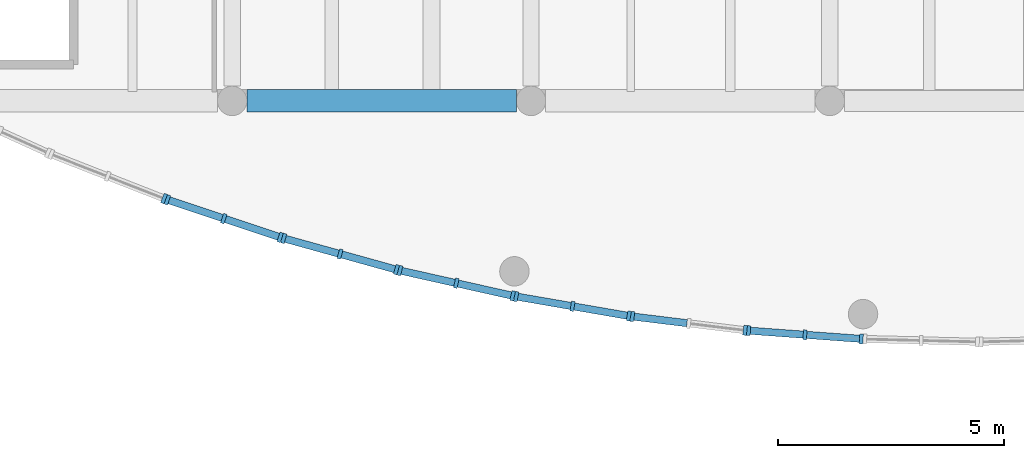
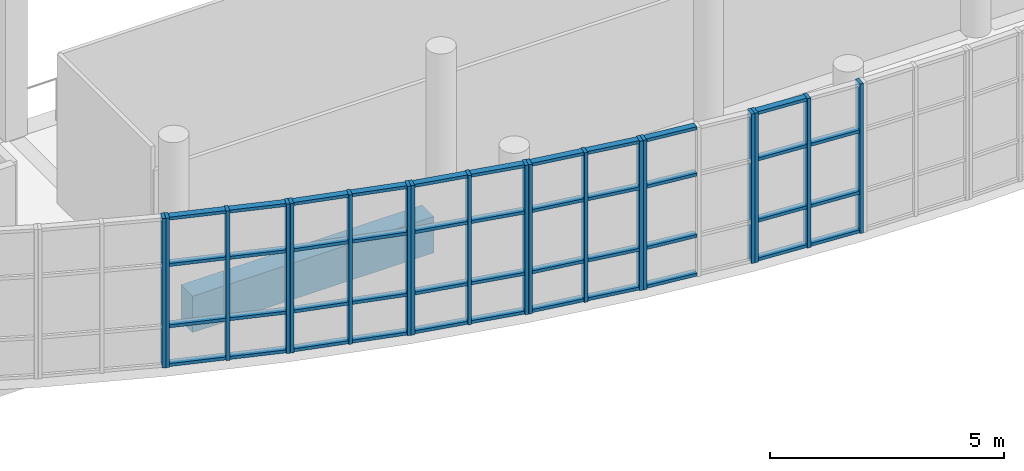
# One storey, part 9 of 65: 61 members, 1 beam, 7 elements without a shape of their own.
"""IFC4 building model written with IfcOpenShell, lengths in metres."""

from ifc_helpers import new_model, si_unit, direction, frame, origin, origin_2d, place, context, subcontext, project, spatial, rectangle, extrude, material, material_profile, profile_set, type_object, element, aggregate, save


model = new_model("IFC4")

# Units and contexts
model_context = context("Model", 3, precision=1e-05, world=origin(), true_north=direction((0.0, 1.0)))
body_context = subcontext(model_context, "Body", "Model", "MODEL_VIEW")
ifc_project = project(units=[si_unit("LENGTHUNIT", "METRE"), si_unit("AREAUNIT", "SQUARE_METRE"), si_unit("VOLUMEUNIT", "CUBIC_METRE"), si_unit("PLANEANGLEUNIT", "RADIAN"), si_unit("MASSUNIT", "GRAM", prefix="KILO")], contexts=[model_context])

# Site, building, storey
site_placement = place(None, origin())
site = spatial("IfcSite", under=ifc_project, at=site_placement, CompositionType="ELEMENT")
building_placement = place(site_placement, origin())
building = spatial("IfcBuilding", under=site, at=building_placement, Name="Ciguamira Faculty of Natural Sciences", CompositionType="ELEMENT")
storey_placement = place(building_placement, frame((0.0, 0.0, 12.60009765625)))
storey = spatial("IfcBuildingStorey", under=building, at=storey_placement, Name="L03", CompositionType="ELEMENT", Elevation=12.60009765625)

# Curtain wall, member
ifc_material_1 = material(Name="Anodized aluminium curtain wall", Category="aluminium")
curtain_wall_type_1 = type_object("IfcCurtainWallType", Name="CurtainWall_CW-01", PredefinedType="USERDEFINED", material=ifc_material_1)
curtain_wall_1_placement = place(storey_placement, origin())
curtain_wall_1 = element("IfcCurtainWall", 1, at=curtain_wall_1_placement, inside=storey, type_object=curtain_wall_type_1, Name="L03 south gallery curved curtain wall 02", ObjectType="UNITISED CURTAIN WALL", PredefinedType="USERDEFINED")
ifc_material_2 = material(Name="Anodized aluminium mullion", Category="aluminium")
ifc_material_profile_1 = material_profile(ifc_material_2, rectangle(XDim=0.080078125, YDim=0.219970703125, at=origin_2d()), Name="ALU-MUL-80X220")
ifc_profile_set_1 = profile_set([ifc_material_profile_1], Name="Anodized aluminium mullion")
member_type_1 = type_object("IfcMemberType", Name="CWMullion_CWM-03", PredefinedType="MULLION", material=ifc_profile_set_1)
member_1_placement = place(storey_placement, frame((68.99609375, 7.84423828125, 0.0), z_axis=(0.0, 0.0, 1.0), x_axis=(0.931122296337, -0.36470710065, 0.0)))
member_1 = element("IfcMember", 2, at=member_1_placement, type_object=member_type_1, Name="CW-01 mullion 3", PredefinedType="MULLION", context=body_context, shape_type="SweptSolid", body=[
    extrude(rectangle(XDim=0.080078125, YDim=0.219970703125, at=origin_2d()), origin(), (0.0, 0.0, 1.0), 3.89990234375),
])
aggregate(curtain_wall_1, [member_1])

# Curtain wall, members
curtain_wall_type_2 = type_object("IfcCurtainWallType", Name="CurtainWall_CW-02", PredefinedType="USERDEFINED", material=ifc_material_1)
curtain_wall_2_placement = place(storey_placement, origin())
curtain_wall_2 = element("IfcCurtainWall", 3, at=curtain_wall_2_placement, inside=storey, type_object=curtain_wall_type_2, Name="L03 south gallery curved curtain wall 03", ObjectType="UNITISED CURTAIN WALL", PredefinedType="USERDEFINED")
member_2_placement = place(storey_placement, frame((69.0712890625, 7.81689453125, 0.0), z_axis=(0.0, 0.0, 1.0), x_axis=(0.948735033862, -0.316072516242, 0.0)))
member_2 = element("IfcMember", 4, at=member_2_placement, type_object=member_type_1, Name="CW-02 mullion 1", PredefinedType="MULLION", context=body_context, shape_type="SweptSolid", body=[
    extrude(rectangle(XDim=0.080078125, YDim=0.219970703125, at=origin_2d()), origin(), (0.0, 0.0, 1.0), 3.89990234375),
])
member_3_placement = place(storey_placement, frame((70.316650390625, 7.402099609375, 0.0), z_axis=(0.0, 0.0, 1.0), x_axis=(0.948735033862, -0.316072516242, 0.0)))
member_3 = element("IfcMember", 5, at=member_3_placement, type_object=member_type_1, Name="CW-02 mullion 2", PredefinedType="MULLION", context=body_context, shape_type="SweptSolid", body=[
    extrude(rectangle(XDim=0.080078125, YDim=0.219970703125, at=origin_2d()), origin(), (0.0, 0.0, 1.0), 3.89990234375),
])
member_4_placement = place(storey_placement, frame((71.56201171875, 6.987060546875, 0.0), z_axis=(0.0, 0.0, 1.0), x_axis=(0.948735033862, -0.316072516242, 0.0)))
member_4 = element("IfcMember", 6, at=member_4_placement, type_object=member_type_1, Name="CW-02 mullion 3", PredefinedType="MULLION", context=body_context, shape_type="SweptSolid", body=[
    extrude(rectangle(XDim=0.080078125, YDim=0.219970703125, at=origin_2d()), origin(), (0.0, 0.0, 1.0), 3.89990234375),
])

curtain_wall_type_3 = type_object("IfcCurtainWallType", Name="CurtainWall_CW-03", PredefinedType="USERDEFINED", material=ifc_material_1)
curtain_wall_3_placement = place(storey_placement, origin())
curtain_wall_3 = element("IfcCurtainWall", 7, at=curtain_wall_3_placement, inside=storey, type_object=curtain_wall_type_3, Name="L03 south gallery curved curtain wall 04", ObjectType="UNITISED CURTAIN WALL", PredefinedType="USERDEFINED")
member_5_placement = place(storey_placement, frame((71.638427734375, 6.9638671875, 0.0), z_axis=(0.0, 0.0, 1.0), x_axis=(0.963573286652, -0.267444426472, 0.0)))
member_5 = element("IfcMember", 8, at=member_5_placement, type_object=member_type_1, Name="CW-03 mullion 1", PredefinedType="MULLION", context=body_context, shape_type="SweptSolid", body=[
    extrude(rectangle(XDim=0.080078125, YDim=0.219970703125, at=origin_2d()), origin(), (0.0, 0.0, 1.0), 3.89990234375),
])
member_6_placement = place(storey_placement, frame((72.88330078125, 6.618408203125, 0.0), z_axis=(0.0, 0.0, 1.0), x_axis=(0.963573286652, -0.267444426472, 0.0)))
member_6 = element("IfcMember", 9, at=member_6_placement, type_object=member_type_1, Name="CW-03 mullion 2", PredefinedType="MULLION", context=body_context, shape_type="SweptSolid", body=[
    extrude(rectangle(XDim=0.080078125, YDim=0.219970703125, at=origin_2d()), origin(), (0.0, 0.0, 1.0), 3.89990234375),
])
member_7_placement = place(storey_placement, frame((74.128173828125, 6.272705078125, 0.0), z_axis=(0.0, 0.0, 1.0), x_axis=(0.963573286652, -0.267444426472, 0.0)))
member_7 = element("IfcMember", 10, at=member_7_placement, type_object=member_type_1, Name="CW-03 mullion 3", PredefinedType="MULLION", context=body_context, shape_type="SweptSolid", body=[
    extrude(rectangle(XDim=0.080078125, YDim=0.219970703125, at=origin_2d()), origin(), (0.0, 0.0, 1.0), 3.89990234375),
])

curtain_wall_type_4 = type_object("IfcCurtainWallType", Name="CurtainWall_CW-04", PredefinedType="USERDEFINED", material=ifc_material_1)
curtain_wall_4_placement = place(storey_placement, origin())
curtain_wall_4 = element("IfcCurtainWall", 11, at=curtain_wall_4_placement, inside=storey, type_object=curtain_wall_type_4, Name="L03 south gallery curved curtain wall 05", ObjectType="UNITISED CURTAIN WALL", PredefinedType="USERDEFINED")
member_8_placement = place(storey_placement, frame((74.205810546875, 6.25341796875, 0.0), z_axis=(0.0, 0.0, 1.0), x_axis=(0.975762990759, -0.218830038763, 0.0)))
member_8 = element("IfcMember", 12, at=member_8_placement, type_object=member_type_1, Name="CW-04 mullion 1", PredefinedType="MULLION", context=body_context, shape_type="SweptSolid", body=[
    extrude(rectangle(XDim=0.080078125, YDim=0.219970703125, at=origin_2d()), origin(), (0.0, 0.0, 1.0), 3.89990234375),
])
member_9_placement = place(storey_placement, frame((75.449951171875, 5.974365234375, 0.0), z_axis=(0.0, 0.0, 1.0), x_axis=(0.975762990759, -0.218830038763, 0.0)))
member_9 = element("IfcMember", 13, at=member_9_placement, type_object=member_type_1, Name="CW-04 mullion 2", PredefinedType="MULLION", context=body_context, shape_type="SweptSolid", body=[
    extrude(rectangle(XDim=0.080078125, YDim=0.219970703125, at=origin_2d()), origin(), (0.0, 0.0, 1.0), 3.89990234375),
])
member_10_placement = place(storey_placement, frame((76.6943359375, 5.6953125, 0.0), z_axis=(0.0, 0.0, 1.0), x_axis=(0.975762990759, -0.218830038763, 0.0)))
member_10 = element("IfcMember", 14, at=member_10_placement, type_object=member_type_1, Name="CW-04 mullion 3", PredefinedType="MULLION", context=body_context, shape_type="SweptSolid", body=[
    extrude(rectangle(XDim=0.080078125, YDim=0.219970703125, at=origin_2d()), origin(), (0.0, 0.0, 1.0), 3.89990234375),
])

curtain_wall_type_5 = type_object("IfcCurtainWallType", Name="CurtainWall_CW-05", PredefinedType="USERDEFINED", material=ifc_material_1)
curtain_wall_5_placement = place(storey_placement, origin())
curtain_wall_5 = element("IfcCurtainWall", 15, at=curtain_wall_5_placement, inside=storey, type_object=curtain_wall_type_5, Name="L03 south gallery curved curtain wall 06", ObjectType="UNITISED CURTAIN WALL", PredefinedType="USERDEFINED")
member_11_placement = place(storey_placement, frame((76.772705078125, 5.6796875, 0.0), z_axis=(0.0, 0.0, 1.0), x_axis=(0.985410865099, -0.170192323402, 0.0)))
member_11 = element("IfcMember", 16, at=member_11_placement, type_object=member_type_1, Name="CW-05 mullion 1", PredefinedType="MULLION", context=body_context, shape_type="SweptSolid", body=[
    extrude(rectangle(XDim=0.080078125, YDim=0.219970703125, at=origin_2d()), origin(), (0.0, 0.0, 1.0), 3.89990234375),
])
member_12_placement = place(storey_placement, frame((78.0166015625, 5.46484375, 0.0), z_axis=(0.0, 0.0, 1.0), x_axis=(0.985410865099, -0.170192323402, 0.0)))
member_12 = element("IfcMember", 17, at=member_12_placement, type_object=member_type_1, Name="CW-05 mullion 2", PredefinedType="MULLION", context=body_context, shape_type="SweptSolid", body=[
    extrude(rectangle(XDim=0.080078125, YDim=0.219970703125, at=origin_2d()), origin(), (0.0, 0.0, 1.0), 3.89990234375),
])
member_13_placement = place(storey_placement, frame((79.260498046875, 5.25, 0.0), z_axis=(0.0, 0.0, 1.0), x_axis=(0.985410865099, -0.170192323402, 0.0)))
member_13 = element("IfcMember", 18, at=member_13_placement, type_object=member_type_1, Name="CW-05 mullion 3", PredefinedType="MULLION", context=body_context, shape_type="SweptSolid", body=[
    extrude(rectangle(XDim=0.080078125, YDim=0.219970703125, at=origin_2d()), origin(), (0.0, 0.0, 1.0), 3.89990234375),
])

curtain_wall_type_6 = type_object("IfcCurtainWallType", Name="CurtainWall_CW-06", PredefinedType="USERDEFINED", material=ifc_material_1)
curtain_wall_6_placement = place(storey_placement, origin())
curtain_wall_6 = element("IfcCurtainWall", 19, at=curtain_wall_6_placement, inside=storey, type_object=curtain_wall_type_6, Name="L03 south gallery curved curtain wall 07", ObjectType="UNITISED CURTAIN WALL", PredefinedType="USERDEFINED")
member_14_placement = place(storey_placement, frame((79.339599609375, 5.23828125, 0.0), z_axis=(0.0, 0.0, 1.0), x_axis=(0.992585912631, -0.12154507825, 0.0)))
member_14 = element("IfcMember", 20, at=member_14_placement, type_object=member_type_1, Name="CW-06 mullion 1", PredefinedType="MULLION", context=body_context, shape_type="SweptSolid", body=[
    extrude(rectangle(XDim=0.080078125, YDim=0.219970703125, at=origin_2d()), origin(), (0.0, 0.0, 1.0), 3.89990234375),
])
member_15_placement = place(storey_placement, frame((81.826904296875, 4.933837890625, 0.0), z_axis=(0.0, 0.0, 1.0), x_axis=(0.992585912631, -0.12154507825, 0.0)))
member_15 = element("IfcMember", 21, at=member_15_placement, type_object=member_type_1, Name="CW-06 mullion 3", PredefinedType="MULLION", context=body_context, shape_type="SweptSolid", body=[
    extrude(rectangle(XDim=0.080078125, YDim=0.219970703125, at=origin_2d()), origin(), (0.0, 0.0, 1.0), 3.89990234375),
])

curtain_wall_type_7 = type_object("IfcCurtainWallType", Name="CurtainWall_CW-07", PredefinedType="USERDEFINED", material=ifc_material_1)
curtain_wall_7_placement = place(storey_placement, origin())
curtain_wall_7 = element("IfcCurtainWall", 22, at=curtain_wall_7_placement, inside=storey, type_object=curtain_wall_type_7, Name="L03 south gallery curved curtain wall 08", ObjectType="UNITISED CURTAIN WALL", PredefinedType="USERDEFINED")
member_16_placement = place(storey_placement, frame((81.906494140625, 4.926025390625, 0.0), z_axis=(0.0, 0.0, 1.0), x_axis=(0.99733655099, -0.072936986916, 0.0)))
member_16 = element("IfcMember", 23, at=member_16_placement, type_object=member_type_1, Name="CW-07 mullion 1", PredefinedType="MULLION", context=body_context, shape_type="SweptSolid", body=[
    extrude(rectangle(XDim=0.080078125, YDim=0.219970703125, at=origin_2d()), origin(), (0.0, 0.0, 1.0), 3.89990234375),
])
member_17_placement = place(storey_placement, frame((83.14990234375, 4.8349609375, 0.0), z_axis=(0.0, 0.0, 1.0), x_axis=(0.99733655099, -0.072936986916, 0.0)))
member_17 = element("IfcMember", 24, at=member_17_placement, type_object=member_type_1, Name="CW-07 mullion 2", PredefinedType="MULLION", context=body_context, shape_type="SweptSolid", body=[
    extrude(rectangle(XDim=0.080078125, YDim=0.219970703125, at=origin_2d()), origin(), (0.0, 0.0, 1.0), 3.89990234375),
])
member_18_placement = place(storey_placement, frame((84.393310546875, 4.744140625, 0.0), z_axis=(0.0, 0.0, 1.0), x_axis=(0.99733655099, -0.072936986916, 0.0)))
member_18 = element("IfcMember", 25, at=member_18_placement, type_object=member_type_1, Name="CW-07 mullion 3", PredefinedType="MULLION", context=body_context, shape_type="SweptSolid", body=[
    extrude(rectangle(XDim=0.080078125, YDim=0.219970703125, at=origin_2d()), origin(), (0.0, 0.0, 1.0), 3.89990234375),
])

# Member
ifc_material_3 = material(Name="Anodized aluminium transom", Category="aluminium")
ifc_material_profile_2 = material_profile(ifc_material_3, rectangle(XDim=0.080078125, YDim=0.159912109375, at=origin_2d()), Name="ALU-TRN-80X160")
ifc_profile_set_2 = profile_set([ifc_material_profile_2], Name="Anodized aluminium transom")
member_type_2 = type_object("IfcMemberType", Name="CWTransom_CWT-03", PredefinedType="USERDEFINED", material=ifc_profile_set_2)
member_19_placement = place(storey_placement, frame((69.109130859375, 7.80419921875, 0.039794921875), z_axis=(0.948802054129, -0.315871274543, 0.0), x_axis=(0.0, 0.0, 1.0)))
member_19 = element("IfcMember", 26, at=member_19_placement, type_object=member_type_2, Name="CW-02 transom 1.1", ObjectType="TRANSOM", PredefinedType="USERDEFINED", context=body_context, shape_type="SweptSolid", body=[
    extrude(rectangle(XDim=0.080078125, YDim=0.159912109375, at=origin_2d()), origin(), (0.0, 0.0, 1.0), 1.23291015625),
])

member_20_placement = place(storey_placement, frame((69.109130859375, 7.80419921875, 1.0498046875), z_axis=(0.948802054129, -0.315871274543, 0.0), x_axis=(0.0, 0.0, 1.0)))
member_20 = element("IfcMember", 27, at=member_20_placement, type_object=member_type_2, Name="CW-02 transom 1.2", ObjectType="TRANSOM", PredefinedType="USERDEFINED", context=body_context, shape_type="SweptSolid", body=[
    extrude(rectangle(XDim=0.080078125, YDim=0.159912109375, at=origin_2d()), origin(), (0.0, 0.0, 1.0), 1.23291015625),
])

member_21_placement = place(storey_placement, frame((69.109130859375, 7.80419921875, 2.64990234375), z_axis=(0.948802054129, -0.315871274543, 0.0), x_axis=(0.0, 0.0, 1.0)))
member_21 = element("IfcMember", 28, at=member_21_placement, type_object=member_type_2, Name="CW-02 transom 1.3", ObjectType="TRANSOM", PredefinedType="USERDEFINED", context=body_context, shape_type="SweptSolid", body=[
    extrude(rectangle(XDim=0.080078125, YDim=0.159912109375, at=origin_2d()), origin(), (0.0, 0.0, 1.0), 1.23291015625),
])

member_22_placement = place(storey_placement, frame((69.109130859375, 7.80419921875, 3.85986328125), z_axis=(0.948802054129, -0.315871274543, 0.0), x_axis=(0.0, 0.0, 1.0)))
member_22 = element("IfcMember", 29, at=member_22_placement, type_object=member_type_2, Name="CW-02 transom 1.4", ObjectType="TRANSOM", PredefinedType="USERDEFINED", context=body_context, shape_type="SweptSolid", body=[
    extrude(rectangle(XDim=0.080078125, YDim=0.159912109375, at=origin_2d()), origin(), (0.0, 0.0, 1.0), 1.23291015625),
])

member_23_placement = place(storey_placement, frame((70.3544921875, 7.389404296875, 0.039794921875), z_axis=(0.948742689117, -0.316049537013, 0.0), x_axis=(0.0, 0.0, 1.0)))
member_23 = element("IfcMember", 30, at=member_23_placement, type_object=member_type_2, Name="CW-02 transom 2.1", ObjectType="TRANSOM", PredefinedType="USERDEFINED", context=body_context, shape_type="SweptSolid", body=[
    extrude(rectangle(XDim=0.080078125, YDim=0.159912109375, at=origin_2d()), origin(), (0.0, 0.0, 1.0), 1.23291015625),
])

member_24_placement = place(storey_placement, frame((70.3544921875, 7.389404296875, 1.0498046875), z_axis=(0.948742689117, -0.316049537013, 0.0), x_axis=(0.0, 0.0, 1.0)))
member_24 = element("IfcMember", 31, at=member_24_placement, type_object=member_type_2, Name="CW-02 transom 2.2", ObjectType="TRANSOM", PredefinedType="USERDEFINED", context=body_context, shape_type="SweptSolid", body=[
    extrude(rectangle(XDim=0.080078125, YDim=0.159912109375, at=origin_2d()), origin(), (0.0, 0.0, 1.0), 1.23291015625),
])

member_25_placement = place(storey_placement, frame((70.3544921875, 7.389404296875, 2.64990234375), z_axis=(0.948742689117, -0.316049537013, 0.0), x_axis=(0.0, 0.0, 1.0)))
member_25 = element("IfcMember", 32, at=member_25_placement, type_object=member_type_2, Name="CW-02 transom 2.3", ObjectType="TRANSOM", PredefinedType="USERDEFINED", context=body_context, shape_type="SweptSolid", body=[
    extrude(rectangle(XDim=0.080078125, YDim=0.159912109375, at=origin_2d()), origin(), (0.0, 0.0, 1.0), 1.23291015625),
])

member_26_placement = place(storey_placement, frame((70.3544921875, 7.389404296875, 3.85986328125), z_axis=(0.948742689117, -0.316049537013, 0.0), x_axis=(0.0, 0.0, 1.0)))
member_26 = element("IfcMember", 33, at=member_26_placement, type_object=member_type_2, Name="CW-02 transom 2.4", ObjectType="TRANSOM", PredefinedType="USERDEFINED", context=body_context, shape_type="SweptSolid", body=[
    extrude(rectangle(XDim=0.080078125, YDim=0.159912109375, at=origin_2d()), origin(), (0.0, 0.0, 1.0), 1.23291015625),
])

aggregate(curtain_wall_2, [member_2, member_3, member_4, member_19, member_20, member_21, member_22, member_23, member_24, member_25, member_26])

member_27_placement = place(storey_placement, frame((71.677001953125, 6.953125, 0.039794921875), z_axis=(0.963549650457, -0.267529570522, 0.0), x_axis=(0.0, 0.0, 1.0)))
member_27 = element("IfcMember", 34, at=member_27_placement, type_object=member_type_2, Name="CW-03 transom 1.1", ObjectType="TRANSOM", PredefinedType="USERDEFINED", context=body_context, shape_type="SweptSolid", body=[
    extrude(rectangle(XDim=0.080078125, YDim=0.159912109375, at=origin_2d()), origin(), (0.0, 0.0, 1.0), 1.2119140625),
])

member_28_placement = place(storey_placement, frame((71.677001953125, 6.953125, 1.0498046875), z_axis=(0.963549650457, -0.267529570522, 0.0), x_axis=(0.0, 0.0, 1.0)))
member_28 = element("IfcMember", 35, at=member_28_placement, type_object=member_type_2, Name="CW-03 transom 1.2", ObjectType="TRANSOM", PredefinedType="USERDEFINED", context=body_context, shape_type="SweptSolid", body=[
    extrude(rectangle(XDim=0.080078125, YDim=0.159912109375, at=origin_2d()), origin(), (0.0, 0.0, 1.0), 1.2119140625),
])

member_29_placement = place(storey_placement, frame((71.677001953125, 6.953125, 2.64990234375), z_axis=(0.963549650457, -0.267529570522, 0.0), x_axis=(0.0, 0.0, 1.0)))
member_29 = element("IfcMember", 36, at=member_29_placement, type_object=member_type_2, Name="CW-03 transom 1.3", ObjectType="TRANSOM", PredefinedType="USERDEFINED", context=body_context, shape_type="SweptSolid", body=[
    extrude(rectangle(XDim=0.080078125, YDim=0.159912109375, at=origin_2d()), origin(), (0.0, 0.0, 1.0), 1.2119140625),
])

member_30_placement = place(storey_placement, frame((71.677001953125, 6.953125, 3.85986328125), z_axis=(0.963549650457, -0.267529570522, 0.0), x_axis=(0.0, 0.0, 1.0)))
member_30 = element("IfcMember", 37, at=member_30_placement, type_object=member_type_2, Name="CW-03 transom 1.4", ObjectType="TRANSOM", PredefinedType="USERDEFINED", context=body_context, shape_type="SweptSolid", body=[
    extrude(rectangle(XDim=0.080078125, YDim=0.159912109375, at=origin_2d()), origin(), (0.0, 0.0, 1.0), 1.2119140625),
])

member_31_placement = place(storey_placement, frame((72.921875, 6.607666015625, 0.039794921875), z_axis=(0.963549650457, -0.267529570522, 0.0), x_axis=(0.0, 0.0, 1.0)))
member_31 = element("IfcMember", 38, at=member_31_placement, type_object=member_type_2, Name="CW-03 transom 2.1", ObjectType="TRANSOM", PredefinedType="USERDEFINED", context=body_context, shape_type="SweptSolid", body=[
    extrude(rectangle(XDim=0.080078125, YDim=0.159912109375, at=origin_2d()), origin(), (0.0, 0.0, 1.0), 1.2119140625),
])

member_32_placement = place(storey_placement, frame((72.921875, 6.607666015625, 1.0498046875), z_axis=(0.963549650457, -0.267529570522, 0.0), x_axis=(0.0, 0.0, 1.0)))
member_32 = element("IfcMember", 39, at=member_32_placement, type_object=member_type_2, Name="CW-03 transom 2.2", ObjectType="TRANSOM", PredefinedType="USERDEFINED", context=body_context, shape_type="SweptSolid", body=[
    extrude(rectangle(XDim=0.080078125, YDim=0.159912109375, at=origin_2d()), origin(), (0.0, 0.0, 1.0), 1.2119140625),
])

member_33_placement = place(storey_placement, frame((72.921875, 6.607666015625, 2.64990234375), z_axis=(0.963549650457, -0.267529570522, 0.0), x_axis=(0.0, 0.0, 1.0)))
member_33 = element("IfcMember", 40, at=member_33_placement, type_object=member_type_2, Name="CW-03 transom 2.3", ObjectType="TRANSOM", PredefinedType="USERDEFINED", context=body_context, shape_type="SweptSolid", body=[
    extrude(rectangle(XDim=0.080078125, YDim=0.159912109375, at=origin_2d()), origin(), (0.0, 0.0, 1.0), 1.2119140625),
])

member_34_placement = place(storey_placement, frame((72.921875, 6.607666015625, 3.85986328125), z_axis=(0.963549650457, -0.267529570522, 0.0), x_axis=(0.0, 0.0, 1.0)))
member_34 = element("IfcMember", 41, at=member_34_placement, type_object=member_type_2, Name="CW-03 transom 2.4", ObjectType="TRANSOM", PredefinedType="USERDEFINED", context=body_context, shape_type="SweptSolid", body=[
    extrude(rectangle(XDim=0.080078125, YDim=0.159912109375, at=origin_2d()), origin(), (0.0, 0.0, 1.0), 1.2119140625),
])

aggregate(curtain_wall_3, [member_5, member_6, member_7, member_27, member_28, member_29, member_30, member_31, member_32, member_33, member_34])

member_35_placement = place(storey_placement, frame((74.244873046875, 6.24462890625, 0.039794921875), z_axis=(0.975767018908, -0.218812076476, 0.0), x_axis=(0.0, 0.0, 1.0)))
member_35 = element("IfcMember", 42, at=member_35_placement, type_object=member_type_2, Name="CW-04 transom 1.1", ObjectType="TRANSOM", PredefinedType="USERDEFINED", context=body_context, shape_type="SweptSolid", body=[
    extrude(rectangle(XDim=0.080078125, YDim=0.159912109375, at=origin_2d()), origin(), (0.0, 0.0, 1.0), 1.195068359375),
])

member_36_placement = place(storey_placement, frame((74.244873046875, 6.24462890625, 1.0498046875), z_axis=(0.975767018908, -0.218812076476, 0.0), x_axis=(0.0, 0.0, 1.0)))
member_36 = element("IfcMember", 43, at=member_36_placement, type_object=member_type_2, Name="CW-04 transom 1.2", ObjectType="TRANSOM", PredefinedType="USERDEFINED", context=body_context, shape_type="SweptSolid", body=[
    extrude(rectangle(XDim=0.080078125, YDim=0.159912109375, at=origin_2d()), origin(), (0.0, 0.0, 1.0), 1.195068359375),
])

member_37_placement = place(storey_placement, frame((74.244873046875, 6.24462890625, 2.64990234375), z_axis=(0.975767018908, -0.218812076476, 0.0), x_axis=(0.0, 0.0, 1.0)))
member_37 = element("IfcMember", 44, at=member_37_placement, type_object=member_type_2, Name="CW-04 transom 1.3", ObjectType="TRANSOM", PredefinedType="USERDEFINED", context=body_context, shape_type="SweptSolid", body=[
    extrude(rectangle(XDim=0.080078125, YDim=0.159912109375, at=origin_2d()), origin(), (0.0, 0.0, 1.0), 1.195068359375),
])

member_38_placement = place(storey_placement, frame((74.244873046875, 6.24462890625, 3.85986328125), z_axis=(0.975767018908, -0.218812076476, 0.0), x_axis=(0.0, 0.0, 1.0)))
member_38 = element("IfcMember", 45, at=member_38_placement, type_object=member_type_2, Name="CW-04 transom 1.4", ObjectType="TRANSOM", PredefinedType="USERDEFINED", context=body_context, shape_type="SweptSolid", body=[
    extrude(rectangle(XDim=0.080078125, YDim=0.159912109375, at=origin_2d()), origin(), (0.0, 0.0, 1.0), 1.195068359375),
])

member_39_placement = place(storey_placement, frame((75.489013671875, 5.965576171875, 0.039794921875), z_axis=(0.97577679791, -0.218768463588, 0.0), x_axis=(0.0, 0.0, 1.0)))
member_39 = element("IfcMember", 46, at=member_39_placement, type_object=member_type_2, Name="CW-04 transom 2.1", ObjectType="TRANSOM", PredefinedType="USERDEFINED", context=body_context, shape_type="SweptSolid", body=[
    extrude(rectangle(XDim=0.080078125, YDim=0.159912109375, at=origin_2d()), origin(), (0.0, 0.0, 1.0), 1.1953125),
])

member_40_placement = place(storey_placement, frame((75.489013671875, 5.965576171875, 1.0498046875), z_axis=(0.97577679791, -0.218768463588, 0.0), x_axis=(0.0, 0.0, 1.0)))
member_40 = element("IfcMember", 47, at=member_40_placement, type_object=member_type_2, Name="CW-04 transom 2.2", ObjectType="TRANSOM", PredefinedType="USERDEFINED", context=body_context, shape_type="SweptSolid", body=[
    extrude(rectangle(XDim=0.080078125, YDim=0.159912109375, at=origin_2d()), origin(), (0.0, 0.0, 1.0), 1.1953125),
])

member_41_placement = place(storey_placement, frame((75.489013671875, 5.965576171875, 2.64990234375), z_axis=(0.97577679791, -0.218768463588, 0.0), x_axis=(0.0, 0.0, 1.0)))
member_41 = element("IfcMember", 48, at=member_41_placement, type_object=member_type_2, Name="CW-04 transom 2.3", ObjectType="TRANSOM", PredefinedType="USERDEFINED", context=body_context, shape_type="SweptSolid", body=[
    extrude(rectangle(XDim=0.080078125, YDim=0.159912109375, at=origin_2d()), origin(), (0.0, 0.0, 1.0), 1.1953125),
])

member_42_placement = place(storey_placement, frame((75.489013671875, 5.965576171875, 3.85986328125), z_axis=(0.97577679791, -0.218768463588, 0.0), x_axis=(0.0, 0.0, 1.0)))
member_42 = element("IfcMember", 49, at=member_42_placement, type_object=member_type_2, Name="CW-04 transom 2.4", ObjectType="TRANSOM", PredefinedType="USERDEFINED", context=body_context, shape_type="SweptSolid", body=[
    extrude(rectangle(XDim=0.080078125, YDim=0.159912109375, at=origin_2d()), origin(), (0.0, 0.0, 1.0), 1.1953125),
])

aggregate(curtain_wall_4, [member_8, member_9, member_10, member_35, member_36, member_37, member_38, member_39, member_40, member_41, member_42])

member_43_placement = place(storey_placement, frame((76.81201171875, 5.6728515625, 0.039794921875), z_axis=(0.985423139827, -0.170121237632, 0.0), x_axis=(0.0, 0.0, 1.0)))
member_43 = element("IfcMember", 50, at=member_43_placement, type_object=member_type_2, Name="CW-05 transom 1.1", ObjectType="TRANSOM", PredefinedType="USERDEFINED", context=body_context, shape_type="SweptSolid", body=[
    extrude(rectangle(XDim=0.080078125, YDim=0.159912109375, at=origin_2d()), origin(), (0.0, 0.0, 1.0), 1.1826171875),
])

member_44_placement = place(storey_placement, frame((76.81201171875, 5.6728515625, 1.0498046875), z_axis=(0.985423139827, -0.170121237632, 0.0), x_axis=(0.0, 0.0, 1.0)))
member_44 = element("IfcMember", 51, at=member_44_placement, type_object=member_type_2, Name="CW-05 transom 1.2", ObjectType="TRANSOM", PredefinedType="USERDEFINED", context=body_context, shape_type="SweptSolid", body=[
    extrude(rectangle(XDim=0.080078125, YDim=0.159912109375, at=origin_2d()), origin(), (0.0, 0.0, 1.0), 1.1826171875),
])

member_45_placement = place(storey_placement, frame((76.81201171875, 5.6728515625, 2.64990234375), z_axis=(0.985423139827, -0.170121237632, 0.0), x_axis=(0.0, 0.0, 1.0)))
member_45 = element("IfcMember", 52, at=member_45_placement, type_object=member_type_2, Name="CW-05 transom 1.3", ObjectType="TRANSOM", PredefinedType="USERDEFINED", context=body_context, shape_type="SweptSolid", body=[
    extrude(rectangle(XDim=0.080078125, YDim=0.159912109375, at=origin_2d()), origin(), (0.0, 0.0, 1.0), 1.1826171875),
])

member_46_placement = place(storey_placement, frame((76.81201171875, 5.6728515625, 3.85986328125), z_axis=(0.985423139827, -0.170121237632, 0.0), x_axis=(0.0, 0.0, 1.0)))
member_46 = element("IfcMember", 53, at=member_46_placement, type_object=member_type_2, Name="CW-05 transom 1.4", ObjectType="TRANSOM", PredefinedType="USERDEFINED", context=body_context, shape_type="SweptSolid", body=[
    extrude(rectangle(XDim=0.080078125, YDim=0.159912109375, at=origin_2d()), origin(), (0.0, 0.0, 1.0), 1.1826171875),
])

member_47_placement = place(storey_placement, frame((78.05615234375, 5.4580078125, 0.039794921875), z_axis=(0.985417162859, -0.170155855448, 0.0), x_axis=(0.0, 0.0, 1.0)))
member_47 = element("IfcMember", 54, at=member_47_placement, type_object=member_type_2, Name="CW-05 transom 2.1", ObjectType="TRANSOM", PredefinedType="USERDEFINED", context=body_context, shape_type="SweptSolid", body=[
    extrude(rectangle(XDim=0.080078125, YDim=0.159912109375, at=origin_2d()), origin(), (0.0, 0.0, 1.0), 1.182373046875),
])

member_48_placement = place(storey_placement, frame((78.05615234375, 5.4580078125, 1.0498046875), z_axis=(0.985417162859, -0.170155855448, 0.0), x_axis=(0.0, 0.0, 1.0)))
member_48 = element("IfcMember", 55, at=member_48_placement, type_object=member_type_2, Name="CW-05 transom 2.2", ObjectType="TRANSOM", PredefinedType="USERDEFINED", context=body_context, shape_type="SweptSolid", body=[
    extrude(rectangle(XDim=0.080078125, YDim=0.159912109375, at=origin_2d()), origin(), (0.0, 0.0, 1.0), 1.182373046875),
])

member_49_placement = place(storey_placement, frame((78.05615234375, 5.4580078125, 2.64990234375), z_axis=(0.985417162859, -0.170155855448, 0.0), x_axis=(0.0, 0.0, 1.0)))
member_49 = element("IfcMember", 56, at=member_49_placement, type_object=member_type_2, Name="CW-05 transom 2.3", ObjectType="TRANSOM", PredefinedType="USERDEFINED", context=body_context, shape_type="SweptSolid", body=[
    extrude(rectangle(XDim=0.080078125, YDim=0.159912109375, at=origin_2d()), origin(), (0.0, 0.0, 1.0), 1.182373046875),
])

member_50_placement = place(storey_placement, frame((78.05615234375, 5.4580078125, 3.85986328125), z_axis=(0.985417162859, -0.170155855448, 0.0), x_axis=(0.0, 0.0, 1.0)))
member_50 = element("IfcMember", 57, at=member_50_placement, type_object=member_type_2, Name="CW-05 transom 2.4", ObjectType="TRANSOM", PredefinedType="USERDEFINED", context=body_context, shape_type="SweptSolid", body=[
    extrude(rectangle(XDim=0.080078125, YDim=0.159912109375, at=origin_2d()), origin(), (0.0, 0.0, 1.0), 1.182373046875),
])

aggregate(curtain_wall_5, [member_11, member_12, member_13, member_43, member_44, member_45, member_46, member_47, member_48, member_49, member_50])

member_51_placement = place(storey_placement, frame((79.37939453125, 5.2333984375, 0.039794921875), z_axis=(0.992585363796, -0.121549560171, 0.0), x_axis=(0.0, 0.0, 1.0)))
member_51 = element("IfcMember", 58, at=member_51_placement, type_object=member_type_2, Name="CW-06 transom 1.1", ObjectType="TRANSOM", PredefinedType="USERDEFINED", context=body_context, shape_type="SweptSolid", body=[
    extrude(rectangle(XDim=0.080078125, YDim=0.159912109375, at=origin_2d()), origin(), (0.0, 0.0, 1.0), 1.173095703125),
])

member_52_placement = place(storey_placement, frame((79.37939453125, 5.2333984375, 1.0498046875), z_axis=(0.992585363796, -0.121549560171, 0.0), x_axis=(0.0, 0.0, 1.0)))
member_52 = element("IfcMember", 59, at=member_52_placement, type_object=member_type_2, Name="CW-06 transom 1.2", ObjectType="TRANSOM", PredefinedType="USERDEFINED", context=body_context, shape_type="SweptSolid", body=[
    extrude(rectangle(XDim=0.080078125, YDim=0.159912109375, at=origin_2d()), origin(), (0.0, 0.0, 1.0), 1.173095703125),
])

member_53_placement = place(storey_placement, frame((79.37939453125, 5.2333984375, 2.64990234375), z_axis=(0.992585363796, -0.121549560171, 0.0), x_axis=(0.0, 0.0, 1.0)))
member_53 = element("IfcMember", 60, at=member_53_placement, type_object=member_type_2, Name="CW-06 transom 1.3", ObjectType="TRANSOM", PredefinedType="USERDEFINED", context=body_context, shape_type="SweptSolid", body=[
    extrude(rectangle(XDim=0.080078125, YDim=0.159912109375, at=origin_2d()), origin(), (0.0, 0.0, 1.0), 1.173095703125),
])

member_54_placement = place(storey_placement, frame((79.37939453125, 5.2333984375, 3.85986328125), z_axis=(0.992585363796, -0.121549560171, 0.0), x_axis=(0.0, 0.0, 1.0)))
member_54 = element("IfcMember", 61, at=member_54_placement, type_object=member_type_2, Name="CW-06 transom 1.4", ObjectType="TRANSOM", PredefinedType="USERDEFINED", context=body_context, shape_type="SweptSolid", body=[
    extrude(rectangle(XDim=0.080078125, YDim=0.159912109375, at=origin_2d()), origin(), (0.0, 0.0, 1.0), 1.173095703125),
])

aggregate(curtain_wall_6, [member_14, member_15, member_51, member_52, member_53, member_54])

member_55_placement = place(storey_placement, frame((81.946533203125, 4.923095703125, 0.039794921875), z_axis=(0.997329635901, -0.073031481941, 0.0), x_axis=(0.0, 0.0, 1.0)))
member_55 = element("IfcMember", 62, at=member_55_placement, type_object=member_type_2, Name="CW-07 transom 1.1", ObjectType="TRANSOM", PredefinedType="USERDEFINED", context=body_context, shape_type="SweptSolid", body=[
    extrude(rectangle(XDim=0.080078125, YDim=0.159912109375, at=origin_2d()), origin(), (0.0, 0.0, 1.0), 1.166748046875),
])

member_56_placement = place(storey_placement, frame((81.946533203125, 4.923095703125, 1.0498046875), z_axis=(0.997329635901, -0.073031481941, 0.0), x_axis=(0.0, 0.0, 1.0)))
member_56 = element("IfcMember", 63, at=member_56_placement, type_object=member_type_2, Name="CW-07 transom 1.2", ObjectType="TRANSOM", PredefinedType="USERDEFINED", context=body_context, shape_type="SweptSolid", body=[
    extrude(rectangle(XDim=0.080078125, YDim=0.159912109375, at=origin_2d()), origin(), (0.0, 0.0, 1.0), 1.166748046875),
])

member_57_placement = place(storey_placement, frame((81.946533203125, 4.923095703125, 2.64990234375), z_axis=(0.997329635901, -0.073031481941, 0.0), x_axis=(0.0, 0.0, 1.0)))
member_57 = element("IfcMember", 64, at=member_57_placement, type_object=member_type_2, Name="CW-07 transom 1.3", ObjectType="TRANSOM", PredefinedType="USERDEFINED", context=body_context, shape_type="SweptSolid", body=[
    extrude(rectangle(XDim=0.080078125, YDim=0.159912109375, at=origin_2d()), origin(), (0.0, 0.0, 1.0), 1.166748046875),
])

member_58_placement = place(storey_placement, frame((81.946533203125, 4.923095703125, 3.85986328125), z_axis=(0.997329635901, -0.073031481941, 0.0), x_axis=(0.0, 0.0, 1.0)))
member_58 = element("IfcMember", 65, at=member_58_placement, type_object=member_type_2, Name="CW-07 transom 1.4", ObjectType="TRANSOM", PredefinedType="USERDEFINED", context=body_context, shape_type="SweptSolid", body=[
    extrude(rectangle(XDim=0.080078125, YDim=0.159912109375, at=origin_2d()), origin(), (0.0, 0.0, 1.0), 1.166748046875),
])

member_59_placement = place(storey_placement, frame((83.18994140625, 4.83203125, 0.039794921875), z_axis=(0.997344856117, -0.072823334018, 0.0), x_axis=(0.0, 0.0, 1.0)))
member_59 = element("IfcMember", 66, at=member_59_placement, type_object=member_type_2, Name="CW-07 transom 2.1", ObjectType="TRANSOM", PredefinedType="USERDEFINED", context=body_context, shape_type="SweptSolid", body=[
    extrude(rectangle(XDim=0.080078125, YDim=0.159912109375, at=origin_2d()), origin(), (0.0, 0.0, 1.0), 1.166748046875),
])

member_60_placement = place(storey_placement, frame((83.18994140625, 4.83203125, 1.0498046875), z_axis=(0.997344856117, -0.072823334018, 0.0), x_axis=(0.0, 0.0, 1.0)))
member_60 = element("IfcMember", 67, at=member_60_placement, type_object=member_type_2, Name="CW-07 transom 2.2", ObjectType="TRANSOM", PredefinedType="USERDEFINED", context=body_context, shape_type="SweptSolid", body=[
    extrude(rectangle(XDim=0.080078125, YDim=0.159912109375, at=origin_2d()), origin(), (0.0, 0.0, 1.0), 1.166748046875),
])

member_61_placement = place(storey_placement, frame((83.18994140625, 4.83203125, 2.64990234375), z_axis=(0.997344856117, -0.072823334018, 0.0), x_axis=(0.0, 0.0, 1.0)))
member_61 = element("IfcMember", 68, at=member_61_placement, type_object=member_type_2, Name="CW-07 transom 2.3", ObjectType="TRANSOM", PredefinedType="USERDEFINED", context=body_context, shape_type="SweptSolid", body=[
    extrude(rectangle(XDim=0.080078125, YDim=0.159912109375, at=origin_2d()), origin(), (0.0, 0.0, 1.0), 1.166748046875),
])

aggregate(curtain_wall_7, [member_16, member_17, member_18, member_55, member_56, member_57, member_58, member_59, member_60, member_61])

# Beam
ifc_material_4 = material(Name="Concrete C40/50", Category="concrete")
ifc_material_profile_3 = material_profile(ifc_material_4, rectangle(XDim=0.5, YDim=0.949951171875, at=origin_2d()), Name="RC-BM-500X950")
ifc_profile_set_3 = profile_set([ifc_material_profile_3], Name="Concrete C40/50")
beam_type = type_object("IfcBeamType", Name="RCBeam_BG-02_RC-BM-500X950", PredefinedType="BEAM", material=ifc_profile_set_3)
beam_placement = place(storey_placement, frame((70.824951171875, 10.0, -0.47509765625), z_axis=(1.0, 0.0, 0.0), x_axis=(0.0, 1.0, 0.0)))
element("IfcBeam", 69, at=beam_placement, inside=storey, type_object=beam_type, Name="L03 RC girder EW-1030", PredefinedType="BEAM", context=body_context, shape_type="SweptSolid", body=[
    extrude(rectangle(XDim=0.5, YDim=0.949951171875, at=origin_2d()), origin(), (0.0, 0.0, 1.0), 5.949951171875),
])

save(model, "model.ifc")
